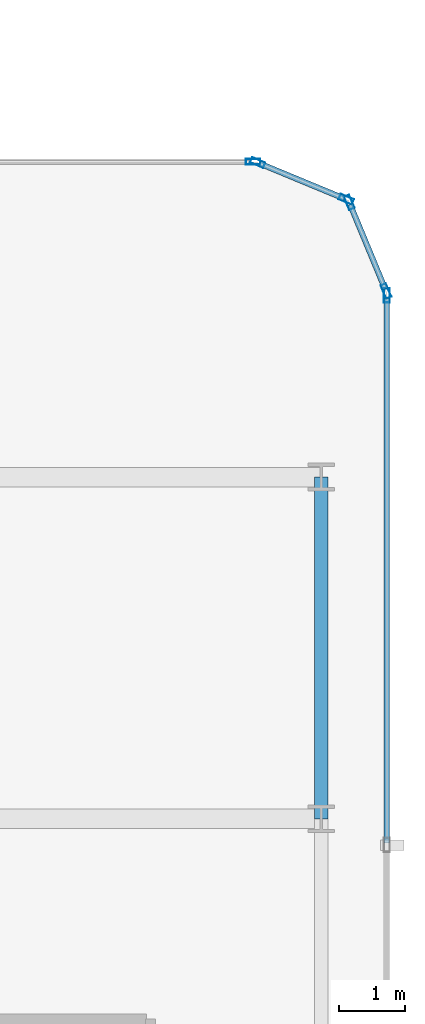
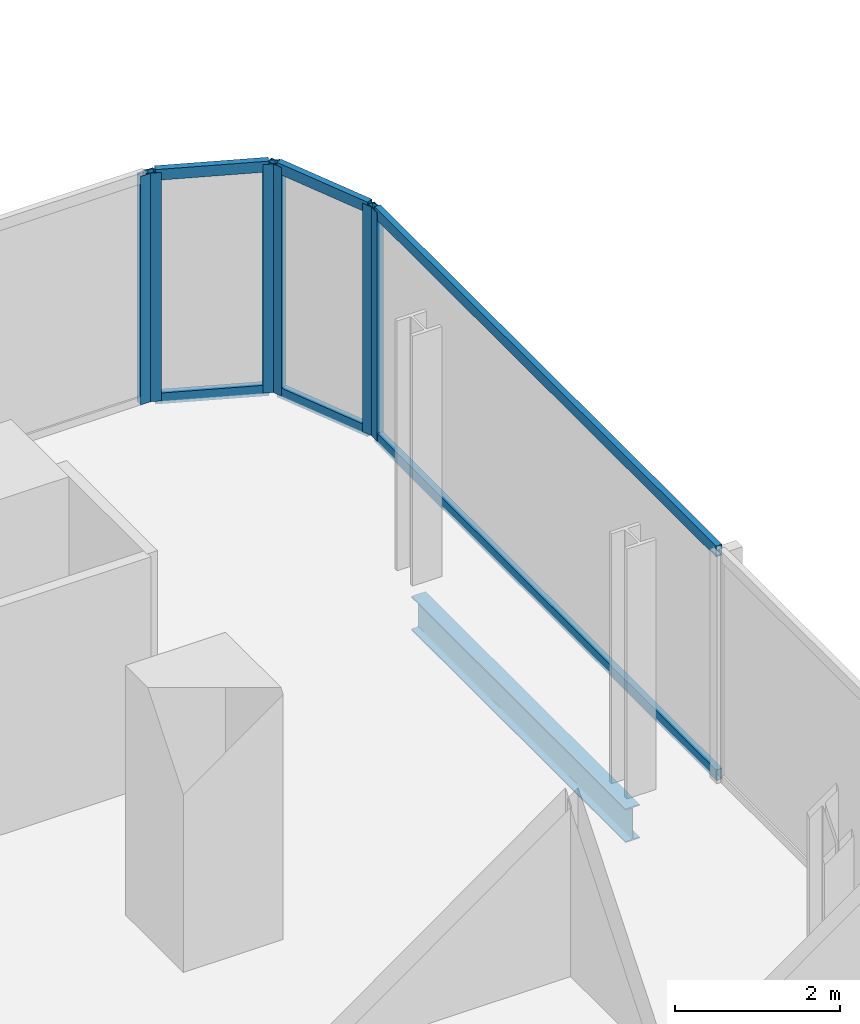
# One storey, part 19 of 34: 12 members, 1 beam, 4 elements without a shape of their own.
"""IFC4 building model written with IfcOpenShell, lengths in metres."""

from ifc_helpers import new_model, si_unit, direction, frame, origin, origin_2d, place, context, subcontext, project, spatial, hollow_rectangle, i_section, extrude, material, layer, layer_set, material_profile, profile_set, type_object, element, aggregate, save


model = new_model("IFC4")

# Units and contexts
model_context = context("Model", 3, precision=1e-05, world=origin(), true_north=direction((0.0, 1.0)))
body_context = subcontext(model_context, "Body", "Model", "MODEL_VIEW")
ifc_project = project(units=[si_unit("LENGTHUNIT", "METRE"), si_unit("AREAUNIT", "SQUARE_METRE"), si_unit("VOLUMEUNIT", "CUBIC_METRE"), si_unit("PLANEANGLEUNIT", "RADIAN"), si_unit("MASSUNIT", "GRAM", prefix="KILO")], contexts=[model_context])

# Site, building, storey
site_placement = place(None, origin())
site = spatial("IfcSite", under=ifc_project, at=site_placement, CompositionType="ELEMENT")
building_placement = place(site_placement, origin())
building = spatial("IfcBuilding", under=site, at=building_placement, Name="Keshet Zoharim Tower", CompositionType="ELEMENT")
storey_placement = place(building_placement, frame((0.0, 0.0, 31.39990234375)))
storey = spatial("IfcBuildingStorey", under=building, at=storey_placement, Name="L06", CompositionType="ELEMENT", Elevation=31.39990234375)

# Beam
ifc_material_1 = material(Name="Steel S355", Category="steel")
ifc_material_profile_1 = material_profile(ifc_material_1, i_section(OverallWidth=0.199951171875, OverallDepth=0.5, WebThickness=0.01025390625, FlangeThickness=0.01611328125, FilletRadius=0.02099609375, at=origin_2d()), Name="IPE500")
ifc_profile_set_1 = profile_set([ifc_material_profile_1], Name="Steel S355")
beam_type = type_object("IfcBeamType", Name="BM-PRI-IP500", PredefinedType="BEAM", material=ifc_profile_set_1)
beam_placement = place(storey_placement, frame((69.0, 22.699951171875, -0.56494140625), z_axis=(0.0, 1.0, 0.0), x_axis=(-1.0, 0.0, 0.0)))
element("IfcBeam", 1, at=beam_placement, inside=storey, type_object=beam_type, Name="L06 Primary Girder Y-025", PredefinedType="BEAM", context=body_context, shape_type="SweptSolid", body=[
    extrude(i_section(OverallWidth=0.199951171875, OverallDepth=0.5, WebThickness=0.01025390625, FlangeThickness=0.01611328125, FilletRadius=0.02099609375, at=origin_2d()), origin(), (0.0, 0.0, 1.0), 5.199951171875),
])

# Curtain wall, member
ifc_material_2 = material(Name="Aluminium 6063-T6", Category="aluminium")
ifc_layer = layer(ifc_material_2, 0.169921875)
ifc_layer_set = layer_set([ifc_layer], Name="Aluminium 6063-T6")
curtain_wall_type = type_object("IfcCurtainWallType", Name="CW-SYS-02", PredefinedType="NOTDEFINED", material=ifc_layer_set)
curtain_wall_1_placement = place(storey_placement, origin())
curtain_wall_1 = element("IfcCurtainWall", 2, at=curtain_wall_1_placement, inside=storey, type_object=curtain_wall_type, Name="L06 Unitised Curtain Wall 13", PredefinedType="NOTDEFINED")
ifc_material_profile_2 = material_profile(ifc_material_2, hollow_rectangle(XDim=0.090087890625, YDim=0.219970703125, WallThickness=0.0048828125, at=origin_2d()), Name="MUL-90x220")
ifc_profile_set_2 = profile_set([ifc_material_profile_2], Name="Aluminium 6063-T6")
member_type_1 = type_object("IfcMemberType", Name="CWM-M22", PredefinedType="MULLION", material=ifc_profile_set_2)
member_1_placement = place(storey_placement, frame((67.965087890625, 32.699951171875, 0.0), z_axis=(0.0, 0.0, 1.0), x_axis=(0.0, 1.0, 0.0)))
member_1 = element("IfcMember", 3, at=member_1_placement, type_object=member_type_1, Name="CW-02 mullion 2", PredefinedType="MULLION", context=body_context, shape_type="SweptSolid", body=[
    extrude(hollow_rectangle(XDim=0.090087890625, YDim=0.219970703125, WallThickness=0.0048828125, at=origin_2d()), origin(), (0.0, 0.0, 1.0), 3.385009765625),
])
aggregate(curtain_wall_1, [member_1])

# Curtain wall, members
curtain_wall_2_placement = place(storey_placement, origin())
curtain_wall_2 = element("IfcCurtainWall", 4, at=curtain_wall_2_placement, inside=storey, type_object=curtain_wall_type, Name="L06 Unitised Curtain Wall 14", PredefinedType="NOTDEFINED")
member_2_placement = place(storey_placement, frame((68.0322265625, 32.6865234375, 0.0), z_axis=(0.0, 0.0, 1.0), x_axis=(0.382851849847, 0.92380975372, 0.0)))
member_2 = element("IfcMember", 5, at=member_2_placement, type_object=member_type_1, Name="CW-02 mullion 1", PredefinedType="MULLION", context=body_context, shape_type="SweptSolid", body=[
    extrude(hollow_rectangle(XDim=0.090087890625, YDim=0.219970703125, WallThickness=0.0048828125, at=origin_2d()), origin(), (0.0, 0.0, 1.0), 3.385009765625),
])
member_3_placement = place(storey_placement, frame((69.381591796875, 32.12744140625, 0.0), z_axis=(0.0, 0.0, 1.0), x_axis=(0.382851849847, 0.92380975372, 0.0)))
member_3 = element("IfcMember", 6, at=member_3_placement, type_object=member_type_1, Name="CW-02 mullion 2", PredefinedType="MULLION", context=body_context, shape_type="SweptSolid", body=[
    extrude(hollow_rectangle(XDim=0.090087890625, YDim=0.219970703125, WallThickness=0.0048828125, at=origin_2d()), origin(), (0.0, 0.0, 1.0), 3.385009765625),
])

curtain_wall_3_placement = place(storey_placement, origin())
curtain_wall_3 = element("IfcCurtainWall", 7, at=curtain_wall_3_placement, inside=storey, type_object=curtain_wall_type, Name="L06 Unitised Curtain Wall 15", PredefinedType="NOTDEFINED")
member_4_placement = place(storey_placement, frame((69.427490234375, 32.081787109375, 0.0), z_axis=(0.0, 0.0, 1.0), x_axis=(0.92380975372, 0.382851849847, 0.0)))
member_4 = element("IfcMember", 8, at=member_4_placement, type_object=member_type_1, Name="CW-02 mullion 1", PredefinedType="MULLION", context=body_context, shape_type="SweptSolid", body=[
    extrude(hollow_rectangle(XDim=0.090087890625, YDim=0.219970703125, WallThickness=0.0048828125, at=origin_2d()), origin(), (0.0, 0.0, 1.0), 3.385009765625),
])
member_5_placement = place(storey_placement, frame((69.986572265625, 30.732421875, 0.0), z_axis=(0.0, 0.0, 1.0), x_axis=(0.92380975372, 0.382851849847, 0.0)))
member_5 = element("IfcMember", 9, at=member_5_placement, type_object=member_type_1, Name="CW-02 mullion 2", PredefinedType="MULLION", context=body_context, shape_type="SweptSolid", body=[
    extrude(hollow_rectangle(XDim=0.090087890625, YDim=0.219970703125, WallThickness=0.0048828125, at=origin_2d()), origin(), (0.0, 0.0, 1.0), 3.385009765625),
])

# Curtain wall, member
curtain_wall_4_placement = place(storey_placement, origin())
curtain_wall_4 = element("IfcCurtainWall", 10, at=curtain_wall_4_placement, inside=storey, type_object=curtain_wall_type, Name="L06 Unitised Curtain Wall 16", PredefinedType="NOTDEFINED")
member_6_placement = place(storey_placement, frame((70.0, 30.6650390625, 0.0), z_axis=(0.0, 0.0, 1.0), x_axis=(1.0, 0.0, 0.0)))
member_6 = element("IfcMember", 11, at=member_6_placement, type_object=member_type_1, Name="CW-02 mullion 1", PredefinedType="MULLION", context=body_context, shape_type="SweptSolid", body=[
    extrude(hollow_rectangle(XDim=0.090087890625, YDim=0.219970703125, WallThickness=0.0048828125, at=origin_2d()), origin(), (0.0, 0.0, 1.0), 3.385009765625),
])

# Member
ifc_material_profile_3 = material_profile(ifc_material_2, hollow_rectangle(XDim=0.0849609375, YDim=0.159912109375, WallThickness=0.00439453125, at=origin_2d()), Name="TRN-85x160")
ifc_profile_set_3 = profile_set([ifc_material_profile_3], Name="Aluminium 6063-T6")
member_type_2 = type_object("IfcMemberType", Name="CWT-T16", PredefinedType="USERDEFINED", material=ifc_profile_set_3)
member_7_placement = place(storey_placement, frame((68.064697265625, 32.673095703125, 0.03515625), z_axis=(0.923854189844, -0.382744609247, 0.0), x_axis=(0.382744609247, 0.923854189844, 0.0)))
member_7 = element("IfcMember", 12, at=member_7_placement, type_object=member_type_2, Name="CW-02 transom 1.1", ObjectType="TRANSOM", PredefinedType="USERDEFINED", context=body_context, shape_type="SweptSolid", body=[
    extrude(hollow_rectangle(XDim=0.0849609375, YDim=0.159912109375, WallThickness=0.00439453125, at=origin_2d()), origin(), (0.0, 0.0, 1.0), 1.390625),
])

member_8_placement = place(storey_placement, frame((68.064697265625, 32.673095703125, 3.35009765625), z_axis=(0.923854189844, -0.382744609247, 0.0), x_axis=(0.382744609247, 0.923854189844, 0.0)))
member_8 = element("IfcMember", 13, at=member_8_placement, type_object=member_type_2, Name="CW-02 transom 1.2", ObjectType="TRANSOM", PredefinedType="USERDEFINED", context=body_context, shape_type="SweptSolid", body=[
    extrude(hollow_rectangle(XDim=0.0849609375, YDim=0.159912109375, WallThickness=0.00439453125, at=origin_2d()), origin(), (0.0, 0.0, 1.0), 1.390625),
])

aggregate(curtain_wall_2, [member_2, member_3, member_7, member_8])

member_9_placement = place(storey_placement, frame((69.44091796875, 32.04931640625, 0.03515625), z_axis=(0.382744609247, -0.923854189844, 0.0), x_axis=(0.923854189844, 0.382744609247, 0.0)))
member_9 = element("IfcMember", 14, at=member_9_placement, type_object=member_type_2, Name="CW-02 transom 1.1", ObjectType="TRANSOM", PredefinedType="USERDEFINED", context=body_context, shape_type="SweptSolid", body=[
    extrude(hollow_rectangle(XDim=0.0849609375, YDim=0.159912109375, WallThickness=0.00439453125, at=origin_2d()), origin(), (0.0, 0.0, 1.0), 1.390625),
])

member_10_placement = place(storey_placement, frame((69.44091796875, 32.04931640625, 3.35009765625), z_axis=(0.382744609247, -0.923854189844, 0.0), x_axis=(0.923854189844, 0.382744609247, 0.0)))
member_10 = element("IfcMember", 15, at=member_10_placement, type_object=member_type_2, Name="CW-02 transom 1.2", ObjectType="TRANSOM", PredefinedType="USERDEFINED", context=body_context, shape_type="SweptSolid", body=[
    extrude(hollow_rectangle(XDim=0.0849609375, YDim=0.159912109375, WallThickness=0.00439453125, at=origin_2d()), origin(), (0.0, 0.0, 1.0), 1.390625),
])

aggregate(curtain_wall_3, [member_4, member_5, member_9, member_10])

member_11_placement = place(storey_placement, frame((70.0, 30.6298828125, 0.03515625), z_axis=(0.0, -1.0, 0.0), x_axis=(1.0, 0.0, 0.0)))
member_11 = element("IfcMember", 16, at=member_11_placement, type_object=member_type_2, Name="CW-02 transom 1.1", ObjectType="TRANSOM", PredefinedType="USERDEFINED", context=body_context, shape_type="SweptSolid", body=[
    extrude(hollow_rectangle(XDim=0.0849609375, YDim=0.159912109375, WallThickness=0.00439453125, at=origin_2d()), origin(), (0.0, 0.0, 1.0), 8.29638671875),
])

member_12_placement = place(storey_placement, frame((70.0, 30.6298828125, 3.35009765625), z_axis=(0.0, -1.0, 0.0), x_axis=(1.0, 0.0, 0.0)))
member_12 = element("IfcMember", 17, at=member_12_placement, type_object=member_type_2, Name="CW-02 transom 1.2", ObjectType="TRANSOM", PredefinedType="USERDEFINED", context=body_context, shape_type="SweptSolid", body=[
    extrude(hollow_rectangle(XDim=0.0849609375, YDim=0.159912109375, WallThickness=0.00439453125, at=origin_2d()), origin(), (0.0, 0.0, 1.0), 8.29638671875),
])

aggregate(curtain_wall_4, [member_6, member_11, member_12])

save(model, "model.ifc")
